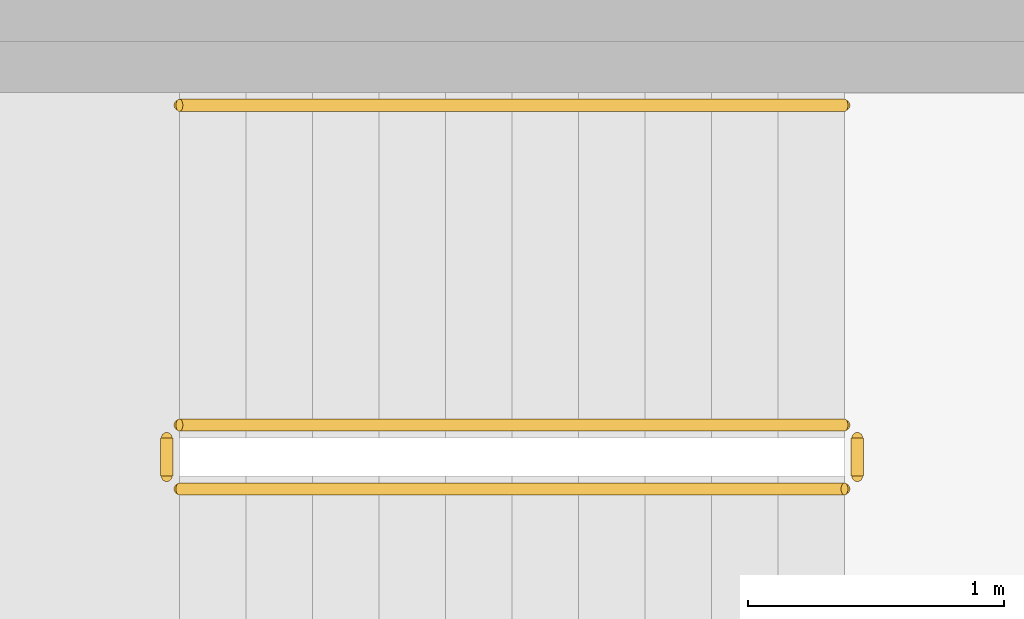
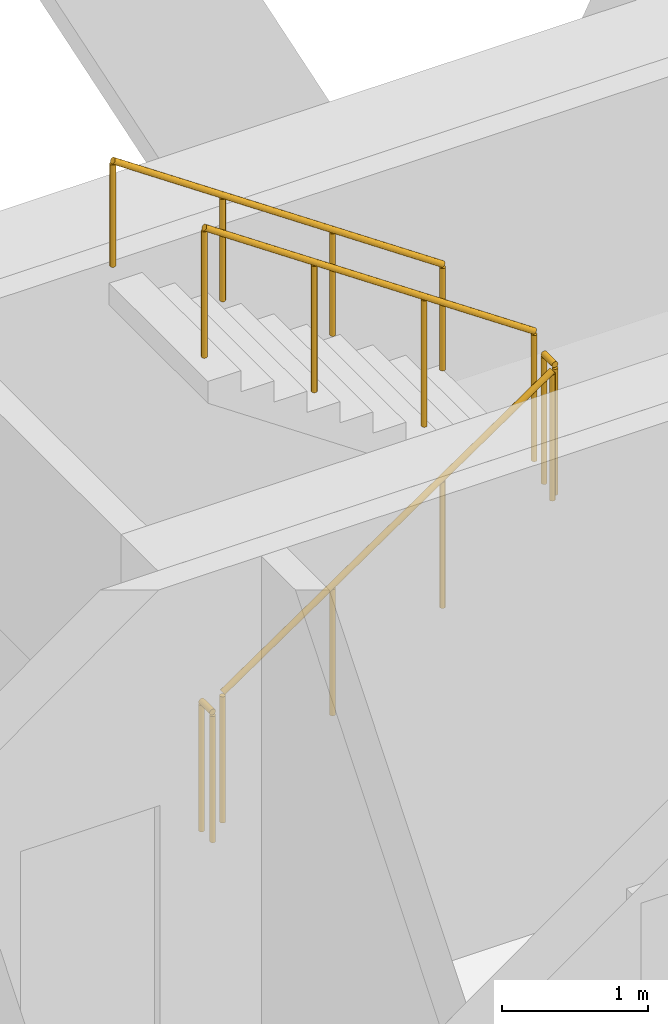
# One storey, part 9 of 9: 5 railings.
"""IFC4 building model written with IfcOpenShell, lengths in metres."""

from ifc_helpers import new_model, si_unit, direction, frame, origin, origin_2d, place, context, subcontext, project, spatial, circle, extrude, material, type_object, element, save


model = new_model("IFC4")

# Units and contexts
model_context = context("Model", 3, precision=1e-05, world=origin(), true_north=direction((0.0, 1.0)))
body_context = subcontext(model_context, "Body", "Model", "MODEL_VIEW")
ifc_project = project(units=[si_unit("LENGTHUNIT", "METRE"), si_unit("AREAUNIT", "SQUARE_METRE"), si_unit("VOLUMEUNIT", "CUBIC_METRE"), si_unit("PLANEANGLEUNIT", "RADIAN"), si_unit("MASSUNIT", "GRAM", prefix="KILO")], contexts=[model_context])

# Site, building, storey
site_placement = place(None, origin())
site = spatial("IfcSite", under=ifc_project, at=site_placement, CompositionType="ELEMENT")
building_placement = place(site_placement, origin())
building = spatial("IfcBuilding", under=site, at=building_placement, Name="White Candle Pilgrim Tower", CompositionType="ELEMENT")
storey_placement = place(building_placement, frame((0.0, 0.0, 260.0)))
storey = spatial("IfcBuildingStorey", under=building, at=storey_placement, Name="L61", CompositionType="ELEMENT", Elevation=260.0)

# Railings
ifc_material = material(Name="Stainless steel", Category="steel")
railing_type_1 = type_object("IfcRailingType", Name="Stair guard stainless steel 1100 mm", PredefinedType="GUARDRAIL", material=ifc_material)
railing_1_placement = place(storey_placement, frame((69.39990234375, 85.550048828125, 0.17724609375)))
element("IfcRailing", 1, at=railing_1_placement, inside=storey, type_object=railing_type_1, Name="L61 ST3 stair guard 1", PredefinedType="GUARDRAIL", context=body_context, shape_type="SweptSolid", body=[
    extrude(circle(Radius=0.02392578125, at=origin_2d()), frame((0.0, 0.0, 1.076171875), z_axis=(0.826240473404, 0.0, 0.563317565952), x_axis=(0.0, 1.0, 0.0)), (0.0, 0.0, 1.0), 3.14697265625),
    extrude(circle(Radius=0.02099609375, at=origin_2d()), origin(), (0.0, 0.0, 1.0), 1.052001953125),
    extrude(circle(Radius=0.02099609375, at=origin_2d()), frame((0.86669921875, 0.0, 0.5908203125)), (0.0, 0.0, 1.0), 1.052001953125),
    extrude(circle(Radius=0.02099609375, at=origin_2d()), frame((1.7333984375, 0.0, 1.181884765625)), (0.0, 0.0, 1.0), 1.052001953125),
    extrude(circle(Radius=0.02099609375, at=origin_2d()), frame((2.60009765625, 0.0, 1.772705078125)), (0.0, 0.0, 1.0), 1.052001953125),
])
railing_2_placement = place(storey_placement, frame((72.050048828125, 85.60009765625, 1.949951171875)))
element("IfcRailing", 2, at=railing_2_placement, inside=storey, type_object=railing_type_1, Name="L61 ST3 stair guard 2", PredefinedType="GUARDRAIL", context=body_context, shape_type="SweptSolid", body=[
    extrude(circle(Radius=0.02392578125, at=origin_2d()), frame((0.0, 0.0, 1.076171875), z_axis=(0.0, 1.0, 0.0), x_axis=(-1.0, 0.0, 0.0)), (0.0, 0.0, 1.0), 0.14990234375),
    extrude(circle(Radius=0.02099609375, at=origin_2d()), origin(), (0.0, 0.0, 1.0), 1.052001953125),
    extrude(circle(Radius=0.02099609375, at=origin_2d()), frame((0.0, 0.14990234375, 0.0)), (0.0, 0.0, 1.0), 1.052001953125),
])
railing_3_placement = place(storey_placement, frame((72.0, 85.800048828125, 2.127197265625)))
element("IfcRailing", 3, at=railing_3_placement, inside=storey, type_object=railing_type_1, Name="L61 ST3 stair guard 3", PredefinedType="GUARDRAIL", context=body_context, shape_type="SweptSolid", body=[
    extrude(circle(Radius=0.02392578125, at=origin_2d()), frame((0.0, 0.0, 1.076171875), z_axis=(-0.826240473404, 0.0, 0.563317565952), x_axis=(0.0, -1.0, 0.0)), (0.0, 0.0, 1.0), 3.14697265625),
    extrude(circle(Radius=0.02099609375, at=origin_2d()), origin(), (0.0, 0.0, 1.0), 1.052001953125),
    extrude(circle(Radius=0.02099609375, at=origin_2d()), frame((-0.86669921875, 0.0, 0.5908203125)), (0.0, 0.0, 1.0), 1.052001953125),
    extrude(circle(Radius=0.02099609375, at=origin_2d()), frame((-1.7333984375, 0.0, 1.181884765625)), (0.0, 0.0, 1.0), 1.052001953125),
    extrude(circle(Radius=0.02099609375, at=origin_2d()), frame((-2.60009765625, 0.0, 1.772705078125)), (0.0, 0.0, 1.0), 1.052001953125),
])
railing_4_placement = place(storey_placement, frame((69.35009765625, 85.60009765625, 0.0)))
element("IfcRailing", 4, at=railing_4_placement, inside=storey, type_object=railing_type_1, Name="L61 ST3 stair guard 4", PredefinedType="GUARDRAIL", context=body_context, shape_type="SweptSolid", body=[
    extrude(circle(Radius=0.02392578125, at=origin_2d()), frame((0.0, 0.0, 1.076171875), z_axis=(0.0, 1.0, 0.0), x_axis=(-1.0, 0.0, 0.0)), (0.0, 0.0, 1.0), 0.14990234375),
    extrude(circle(Radius=0.02099609375, at=origin_2d()), origin(), (0.0, 0.0, 1.0), 1.052001953125),
    extrude(circle(Radius=0.02099609375, at=origin_2d()), frame((0.0, 0.14990234375, 0.0)), (0.0, 0.0, 1.0), 1.052001953125),
])
railing_type_2 = type_object("IfcRailingType", Name="Stair handrail stainless steel", PredefinedType="HANDRAIL", material=ifc_material)
railing_5_placement = place(storey_placement, frame((72.0, 87.050048828125, 2.127197265625)))
element("IfcRailing", 5, at=railing_5_placement, inside=storey, type_object=railing_type_2, Name="L61 ST3 stair handrail 2", PredefinedType="HANDRAIL", context=body_context, shape_type="SweptSolid", body=[
    extrude(circle(Radius=0.02392578125, at=origin_2d()), frame((0.0, 0.0, 0.8759765625), z_axis=(-0.826240473404, 0.0, 0.563317565952), x_axis=(0.0, -1.0, 0.0)), (0.0, 0.0, 1.0), 3.14697265625),
    extrude(circle(Radius=0.02099609375, at=origin_2d()), origin(), (0.0, 0.0, 1.0), 0.851806640625),
    extrude(circle(Radius=0.02099609375, at=origin_2d()), frame((-0.86669921875, 0.0, 0.5908203125)), (0.0, 0.0, 1.0), 0.851806640625),
    extrude(circle(Radius=0.02099609375, at=origin_2d()), frame((-1.7333984375, 0.0, 1.181884765625)), (0.0, 0.0, 1.0), 0.851806640625),
    extrude(circle(Radius=0.02099609375, at=origin_2d()), frame((-2.60009765625, 0.0, 1.772705078125)), (0.0, 0.0, 1.0), 0.851806640625),
])

save(model, "model.ifc")
